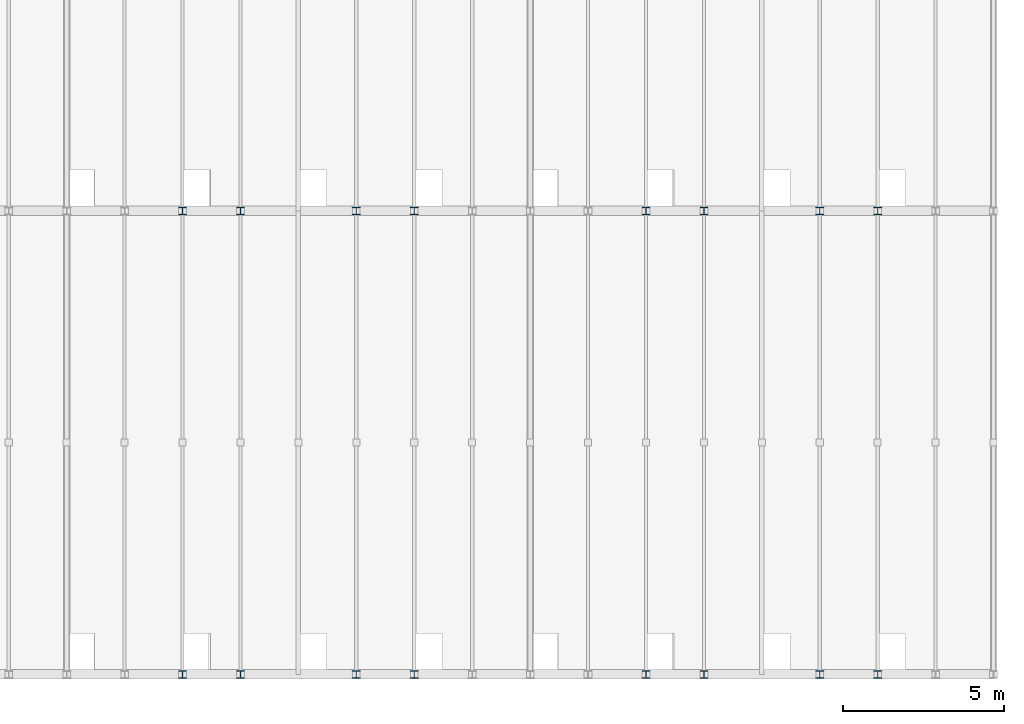
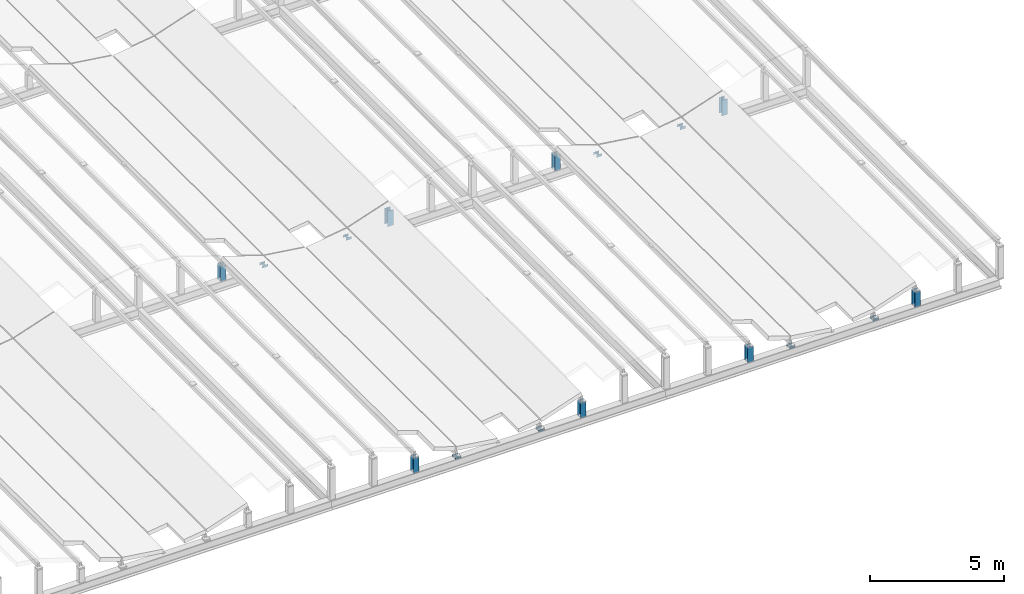
# One storey, part 46 of 83: 16 members.
"""IFC4 building model written with IfcOpenShell, lengths in metres."""

from ifc_helpers import new_model, si_unit, direction, frame, origin, origin_2d, place, context, subcontext, project, spatial, i_section, extrude, material, material_profile, profile_set, type_object, element, save


model = new_model("IFC4")

# Units and contexts
model_context = context("Model", 3, precision=1e-05, world=origin(), true_north=direction((0.0, 1.0)))
body_context = subcontext(model_context, "Body", "Model", "MODEL_VIEW")
ifc_project = project(units=[si_unit("LENGTHUNIT", "METRE"), si_unit("AREAUNIT", "SQUARE_METRE"), si_unit("VOLUMEUNIT", "CUBIC_METRE"), si_unit("PLANEANGLEUNIT", "RADIAN"), si_unit("MASSUNIT", "GRAM", prefix="KILO")], contexts=[model_context])

# Site, building, storey
site_placement = place(None, origin())
site = spatial("IfcSite", under=ifc_project, at=site_placement, CompositionType="ELEMENT")
building_placement = place(site_placement, origin())
building = spatial("IfcBuilding", under=site, at=building_placement, Name="Leyfeld Transit Interchange", CompositionType="ELEMENT")
storey_placement = place(building_placement, frame((0.0, 0.0, 5.39990234375)))
storey = spatial("IfcBuildingStorey", under=building, at=storey_placement, Name="L01", CompositionType="ELEMENT", Elevation=5.39990234375)

# Members
ifc_material = material(Name="Steel S355J2", Category="steel")
ifc_material_profile = material_profile(ifc_material, i_section(OverallWidth=0.239990234375, OverallDepth=0.22998046875, WebThickness=0.007568359375, FlangeThickness=0.011962890625, FilletRadius=0.02099609375, at=origin_2d()), Name="HEA 240")
ifc_profile_set = profile_set([ifc_material_profile], Name="Steel S355J2")
member_type = type_object("IfcMemberType", Name="MEM-CHD-HEA240", PredefinedType="CHORD", material=ifc_profile_set)
member_1_placement = place(storey_placement, frame((162.0, 0.0, 0.860107421875), z_axis=(0.0, 0.0, 1.0), x_axis=(1.0, 0.0, 0.0)))
element("IfcMember", 1, at=member_1_placement, inside=storey, type_object=member_type, Name="Wave Canopy Riser Post 224", PredefinedType="CHORD", context=body_context, shape_type="SweptSolid", body=[
    extrude(i_section(OverallWidth=0.239990234375, OverallDepth=0.22998046875, WebThickness=0.007568359375, FlangeThickness=0.011962890625, FilletRadius=0.02099609375, at=origin_2d()), origin(), (0.0, 0.0, 1.0), 0.696533203125),
])
member_2_placement = place(storey_placement, frame((162.0, 14.39990234375, 0.860107421875), z_axis=(0.0, 0.0, 1.0), x_axis=(1.0, 0.0, 0.0)))
element("IfcMember", 2, at=member_2_placement, inside=storey, type_object=member_type, Name="Wave Canopy Riser Post 226", PredefinedType="CHORD", context=body_context, shape_type="SweptSolid", body=[
    extrude(i_section(OverallWidth=0.239990234375, OverallDepth=0.22998046875, WebThickness=0.007568359375, FlangeThickness=0.011962890625, FilletRadius=0.02099609375, at=origin_2d()), origin(), (0.0, 0.0, 1.0), 0.71240234375),
])
member_3_placement = place(storey_placement, frame((163.800048828125, 0.0, 0.860107421875), z_axis=(0.0, 0.0, 1.0), x_axis=(1.0, 0.0, 0.0)))
element("IfcMember", 3, at=member_3_placement, inside=storey, type_object=member_type, Name="Wave Canopy Riser Post 231", PredefinedType="CHORD", context=body_context, shape_type="SweptSolid", body=[
    extrude(i_section(OverallWidth=0.239990234375, OverallDepth=0.22998046875, WebThickness=0.007568359375, FlangeThickness=0.011962890625, FilletRadius=0.02099609375, at=origin_2d()), origin(), (0.0, 0.0, 1.0), 0.0947265625),
])
member_4_placement = place(storey_placement, frame((163.800048828125, 14.39990234375, 0.860107421875), z_axis=(0.0, 0.0, 1.0), x_axis=(1.0, 0.0, 0.0)))
element("IfcMember", 4, at=member_4_placement, inside=storey, type_object=member_type, Name="Wave Canopy Riser Post 233", PredefinedType="CHORD", context=body_context, shape_type="SweptSolid", body=[
    extrude(i_section(OverallWidth=0.239990234375, OverallDepth=0.22998046875, WebThickness=0.007568359375, FlangeThickness=0.011962890625, FilletRadius=0.02099609375, at=origin_2d()), origin(), (0.0, 0.0, 1.0), 0.110595703125),
])
member_5_placement = place(storey_placement, frame((167.39990234375, 0.0, 0.860107421875), z_axis=(0.0, 0.0, 1.0), x_axis=(1.0, 0.0, 0.0)))
element("IfcMember", 5, at=member_5_placement, inside=storey, type_object=member_type, Name="Wave Canopy Riser Post 241", PredefinedType="CHORD", context=body_context, shape_type="SweptSolid", body=[
    extrude(i_section(OverallWidth=0.239990234375, OverallDepth=0.22998046875, WebThickness=0.007568359375, FlangeThickness=0.011962890625, FilletRadius=0.02099609375, at=origin_2d()), origin(), (0.0, 0.0, 1.0), 0.0947265625),
])
member_6_placement = place(storey_placement, frame((167.39990234375, 14.39990234375, 0.860107421875), z_axis=(0.0, 0.0, 1.0), x_axis=(1.0, 0.0, 0.0)))
element("IfcMember", 6, at=member_6_placement, inside=storey, type_object=member_type, Name="Wave Canopy Riser Post 243", PredefinedType="CHORD", context=body_context, shape_type="SweptSolid", body=[
    extrude(i_section(OverallWidth=0.239990234375, OverallDepth=0.22998046875, WebThickness=0.007568359375, FlangeThickness=0.011962890625, FilletRadius=0.02099609375, at=origin_2d()), origin(), (0.0, 0.0, 1.0), 0.110595703125),
])
member_7_placement = place(storey_placement, frame((169.199951171875, 0.0, 0.860107421875), z_axis=(0.0, 0.0, 1.0), x_axis=(1.0, 0.0, 0.0)))
element("IfcMember", 7, at=member_7_placement, inside=storey, type_object=member_type, Name="Wave Canopy Riser Post 248", PredefinedType="CHORD", context=body_context, shape_type="SweptSolid", body=[
    extrude(i_section(OverallWidth=0.239990234375, OverallDepth=0.22998046875, WebThickness=0.007568359375, FlangeThickness=0.011962890625, FilletRadius=0.02099609375, at=origin_2d()), origin(), (0.0, 0.0, 1.0), 0.696533203125),
])
member_8_placement = place(storey_placement, frame((169.199951171875, 14.39990234375, 0.860107421875), z_axis=(0.0, 0.0, 1.0), x_axis=(1.0, 0.0, 0.0)))
element("IfcMember", 8, at=member_8_placement, inside=storey, type_object=member_type, Name="Wave Canopy Riser Post 250", PredefinedType="CHORD", context=body_context, shape_type="SweptSolid", body=[
    extrude(i_section(OverallWidth=0.239990234375, OverallDepth=0.22998046875, WebThickness=0.007568359375, FlangeThickness=0.011962890625, FilletRadius=0.02099609375, at=origin_2d()), origin(), (0.0, 0.0, 1.0), 0.71240234375),
])
member_9_placement = place(storey_placement, frame((176.39990234375, 0.0, 0.860107421875), z_axis=(0.0, 0.0, 1.0), x_axis=(1.0, 0.0, 0.0)))
element("IfcMember", 9, at=member_9_placement, inside=storey, type_object=member_type, Name="Wave Canopy Riser Post 276", PredefinedType="CHORD", context=body_context, shape_type="SweptSolid", body=[
    extrude(i_section(OverallWidth=0.239990234375, OverallDepth=0.22998046875, WebThickness=0.007568359375, FlangeThickness=0.011962890625, FilletRadius=0.02099609375, at=origin_2d()), origin(), (0.0, 0.0, 1.0), 0.696533203125),
])
member_10_placement = place(storey_placement, frame((176.39990234375, 14.39990234375, 0.860107421875), z_axis=(0.0, 0.0, 1.0), x_axis=(1.0, 0.0, 0.0)))
element("IfcMember", 10, at=member_10_placement, inside=storey, type_object=member_type, Name="Wave Canopy Riser Post 278", PredefinedType="CHORD", context=body_context, shape_type="SweptSolid", body=[
    extrude(i_section(OverallWidth=0.239990234375, OverallDepth=0.22998046875, WebThickness=0.007568359375, FlangeThickness=0.011962890625, FilletRadius=0.02099609375, at=origin_2d()), origin(), (0.0, 0.0, 1.0), 0.71240234375),
])
member_11_placement = place(storey_placement, frame((178.199951171875, 0.0, 0.860107421875), z_axis=(0.0, 0.0, 1.0), x_axis=(1.0, 0.0, 0.0)))
element("IfcMember", 11, at=member_11_placement, inside=storey, type_object=member_type, Name="Wave Canopy Riser Post 283", PredefinedType="CHORD", context=body_context, shape_type="SweptSolid", body=[
    extrude(i_section(OverallWidth=0.239990234375, OverallDepth=0.22998046875, WebThickness=0.007568359375, FlangeThickness=0.011962890625, FilletRadius=0.02099609375, at=origin_2d()), origin(), (0.0, 0.0, 1.0), 0.0947265625),
])
member_12_placement = place(storey_placement, frame((178.199951171875, 14.39990234375, 0.860107421875), z_axis=(0.0, 0.0, 1.0), x_axis=(1.0, 0.0, 0.0)))
element("IfcMember", 12, at=member_12_placement, inside=storey, type_object=member_type, Name="Wave Canopy Riser Post 285", PredefinedType="CHORD", context=body_context, shape_type="SweptSolid", body=[
    extrude(i_section(OverallWidth=0.239990234375, OverallDepth=0.22998046875, WebThickness=0.007568359375, FlangeThickness=0.011962890625, FilletRadius=0.02099609375, at=origin_2d()), origin(), (0.0, 0.0, 1.0), 0.110595703125),
])
member_13_placement = place(storey_placement, frame((181.800048828125, 0.0, 0.860107421875), z_axis=(0.0, 0.0, 1.0), x_axis=(1.0, 0.0, 0.0)))
element("IfcMember", 13, at=member_13_placement, inside=storey, type_object=member_type, Name="Wave Canopy Riser Post 293", PredefinedType="CHORD", context=body_context, shape_type="SweptSolid", body=[
    extrude(i_section(OverallWidth=0.239990234375, OverallDepth=0.22998046875, WebThickness=0.007568359375, FlangeThickness=0.011962890625, FilletRadius=0.02099609375, at=origin_2d()), origin(), (0.0, 0.0, 1.0), 0.0947265625),
])
member_14_placement = place(storey_placement, frame((181.800048828125, 14.39990234375, 0.860107421875), z_axis=(0.0, 0.0, 1.0), x_axis=(1.0, 0.0, 0.0)))
element("IfcMember", 14, at=member_14_placement, inside=storey, type_object=member_type, Name="Wave Canopy Riser Post 295", PredefinedType="CHORD", context=body_context, shape_type="SweptSolid", body=[
    extrude(i_section(OverallWidth=0.239990234375, OverallDepth=0.22998046875, WebThickness=0.007568359375, FlangeThickness=0.011962890625, FilletRadius=0.02099609375, at=origin_2d()), origin(), (0.0, 0.0, 1.0), 0.110595703125),
])
member_15_placement = place(storey_placement, frame((183.60009765625, 0.0, 0.860107421875), z_axis=(0.0, 0.0, 1.0), x_axis=(1.0, 0.0, 0.0)))
element("IfcMember", 15, at=member_15_placement, inside=storey, type_object=member_type, Name="Wave Canopy Riser Post 300", PredefinedType="CHORD", context=body_context, shape_type="SweptSolid", body=[
    extrude(i_section(OverallWidth=0.239990234375, OverallDepth=0.22998046875, WebThickness=0.007568359375, FlangeThickness=0.011962890625, FilletRadius=0.02099609375, at=origin_2d()), origin(), (0.0, 0.0, 1.0), 0.696533203125),
])
member_16_placement = place(storey_placement, frame((183.60009765625, 14.39990234375, 0.860107421875), z_axis=(0.0, 0.0, 1.0), x_axis=(1.0, 0.0, 0.0)))
element("IfcMember", 16, at=member_16_placement, inside=storey, type_object=member_type, Name="Wave Canopy Riser Post 302", PredefinedType="CHORD", context=body_context, shape_type="SweptSolid", body=[
    extrude(i_section(OverallWidth=0.239990234375, OverallDepth=0.22998046875, WebThickness=0.007568359375, FlangeThickness=0.011962890625, FilletRadius=0.02099609375, at=origin_2d()), origin(), (0.0, 0.0, 1.0), 0.71240234375),
])

save(model, "model.ifc")
